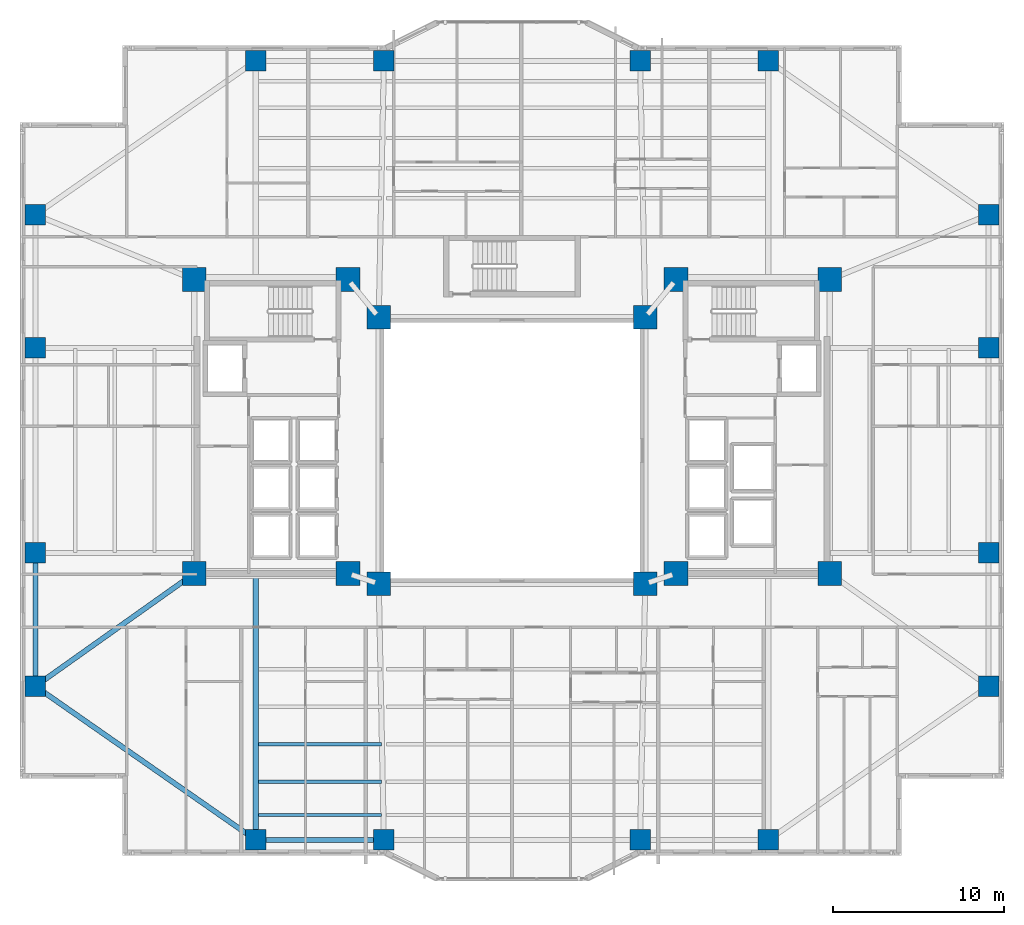
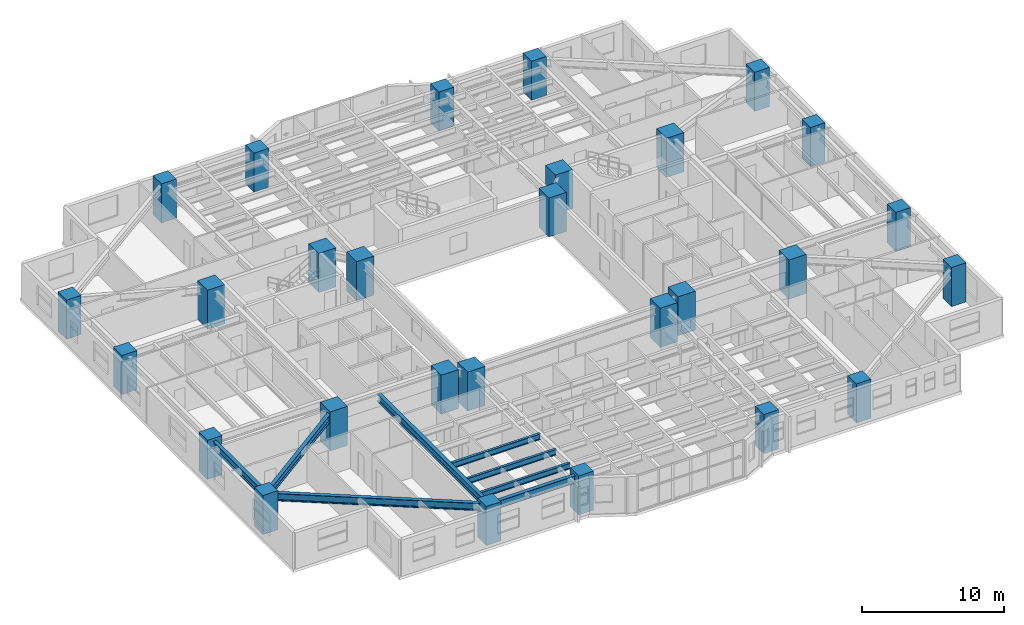
# One storey, part 1 of 21: 28 columns, 8 beams.
"""IFC4 building model written with IfcOpenShell, lengths in metres."""

from ifc_helpers import new_model, si_unit, direction, frame, origin, origin_2d, place, context, subcontext, project, spatial, rectangle, i_section, extrude, material, material_profile, profile_set, type_object, element, save


model = new_model("IFC4")

# Units and contexts
model_context = context("Model", 3, precision=1e-05, world=origin(), true_north=direction((0.0, 1.0)))
body_context = subcontext(model_context, "Body", "Model", "MODEL_VIEW")
ifc_project = project(units=[si_unit("LENGTHUNIT", "METRE"), si_unit("AREAUNIT", "SQUARE_METRE"), si_unit("VOLUMEUNIT", "CUBIC_METRE"), si_unit("PLANEANGLEUNIT", "RADIAN"), si_unit("MASSUNIT", "GRAM", prefix="KILO")], contexts=[model_context])

# Site, building, storey
site_placement = place(None, origin())
site = spatial("IfcSite", under=ifc_project, at=site_placement, CompositionType="ELEMENT")
building_placement = place(site_placement, origin())
building = spatial("IfcBuilding", under=site, at=building_placement, Name="Tarnavaz Court Tower", CompositionType="ELEMENT")
storey_placement = place(building_placement, frame((0.0, 0.0, 24.0)))
storey = spatial("IfcBuildingStorey", under=building, at=storey_placement, Name="L05", CompositionType="ELEMENT", Elevation=24.0)

# Columns
ifc_material_1 = material(Name="Concrete C60/75", Category="concrete")
ifc_material_profile_1 = material_profile(ifc_material_1, rectangle(XDim=1.199951171875, YDim=1.199951171875, at=origin_2d()), Name="RC 1200X1200")
ifc_profile_set_1 = profile_set([ifc_material_profile_1], Name="Concrete C60/75")
column_type_1 = type_object("IfcColumnType", Name="CL-RC1200", PredefinedType="COLUMN", material=ifc_profile_set_1)
for number, where, z_axis, x_axis, name in (
    (1, (-15.0, 22.800048828125, 0.0), (0.0, 0.0, 1.0), (1.0, 0.0, 0.0), "L05 Column PN-1"),
    (2, (-7.5, 22.800048828125, 0.0), (0.0, 0.0, 1.0), (1.0, 0.0, 0.0), "L05 Column PN-2"),
    (3, (7.5, 22.800048828125, 0.0), (0.0, 0.0, 1.0), (1.0, 0.0, 0.0), "L05 Column PN-3"),
    (4, (15.0, 22.800048828125, 0.0), (0.0, 0.0, 1.0), (1.0, 0.0, 0.0), "L05 Column PN-4"),
    (5, (-15.0, -22.800048828125, 0.0), (0.0, 0.0, 1.0), (1.0, 0.0, 0.0), "L05 Column PS-1"),
    (6, (-7.5, -22.800048828125, 0.0), (0.0, 0.0, 1.0), (1.0, 0.0, 0.0), "L05 Column PS-2"),
    (7, (7.5, -22.800048828125, 0.0), (0.0, 0.0, 1.0), (1.0, 0.0, 0.0), "L05 Column PS-3"),
    (8, (15.0, -22.800048828125, 0.0), (0.0, 0.0, 1.0), (1.0, 0.0, 0.0), "L05 Column PS-4"),
    (9, (27.89990234375, -13.800048828125, 0.0), (0.0, 0.0, 1.0), (1.0, 0.0, 0.0), "L05 Column PE-1"),
    (10, (27.89990234375, -6.0, 0.0), (0.0, 0.0, 1.0), (1.0, 0.0, 0.0), "L05 Column PE-2"),
    (11, (27.89990234375, 6.0, 0.0), (0.0, 0.0, 1.0), (1.0, 0.0, 0.0), "L05 Column PE-3"),
    (12, (27.89990234375, 13.800048828125, 0.0), (0.0, 0.0, 1.0), (1.0, 0.0, 0.0), "L05 Column PE-4"),
    (13, (-27.89990234375, -13.800048828125, 0.0), (0.0, 0.0, 1.0), (1.0, 0.0, 0.0), "L05 Column PW-1"),
    (14, (-27.89990234375, -6.0, 0.0), (0.0, 0.0, 1.0), (1.0, 0.0, 0.0), "L05 Column PW-2"),
    (15, (-27.89990234375, 6.0, 0.0), (0.0, 0.0, 1.0), (1.0, 0.0, 0.0), "L05 Column PW-3"),
    (16, (-27.89990234375, 13.800048828125, 0.0), (0.0, 0.0, 1.0), (1.0, 0.0, 0.0), "L05 Column PW-4"),
):
    element("IfcColumn", number, at=place(storey_placement, frame(where, z_axis=z_axis, x_axis=x_axis)), inside=storey, type_object=column_type_1, Name=name, PredefinedType="COLUMN", context=body_context, shape_type="SweptSolid", body=[
        extrude(rectangle(XDim=1.199951171875, YDim=1.199951171875, at=origin_2d()), origin(), (0.0, 0.0, 1.0), 3.35009765625),
    ])
ifc_material_profile_2 = material_profile(ifc_material_1, rectangle(XDim=1.39990234375, YDim=1.39990234375, at=origin_2d()), Name="RC 1400X1400")
ifc_profile_set_2 = profile_set([ifc_material_profile_2], Name="Concrete C60/75")
column_type_2 = type_object("IfcColumnType", Name="CL-RC1400", PredefinedType="COLUMN", material=ifc_profile_set_2)
for number, where, z_axis, x_axis, name in (
    (17, (-7.800048828125, -7.800048828125, 0.0), (0.0, 0.0, 1.0), (1.0, 0.0, 0.0), "L05 Column IW-SW"),
    (18, (7.800048828125, -7.800048828125, 0.0), (0.0, 0.0, 1.0), (1.0, 0.0, 0.0), "L05 Column IW-SE"),
    (19, (-7.800048828125, 7.800048828125, 0.0), (0.0, 0.0, 1.0), (1.0, 0.0, 0.0), "L05 Column IW-NW"),
    (20, (7.800048828125, 7.800048828125, 0.0), (0.0, 0.0, 1.0), (1.0, 0.0, 0.0), "L05 Column IW-NE"),
    (21, (-9.60009765625, -7.199951171875, 0.0), (0.0, 0.0, 1.0), (1.0, 0.0, 0.0), "L05 Column CW-SI"),
    (22, (-9.60009765625, 10.0, 0.0), (0.0, 0.0, 1.0), (1.0, 0.0, 0.0), "L05 Column CW-NI"),
    (23, (9.60009765625, -7.199951171875, 0.0), (0.0, 0.0, 1.0), (1.0, 0.0, 0.0), "L05 Column CE-SI"),
    (24, (9.60009765625, 10.0, 0.0), (0.0, 0.0, 1.0), (1.0, 0.0, 0.0), "L05 Column CE-NI"),
    (25, (-18.60009765625, -7.199951171875, 0.0), (0.0, 0.0, 1.0), (1.0, 0.0, 0.0), "L05 Column CW-SO"),
    (26, (-18.60009765625, 10.0, 0.0), (0.0, 0.0, 1.0), (1.0, 0.0, 0.0), "L05 Column CW-NO"),
    (27, (18.60009765625, -7.199951171875, 0.0), (0.0, 0.0, 1.0), (1.0, 0.0, 0.0), "L05 Column CE-SO"),
    (28, (18.60009765625, 10.0, 0.0), (0.0, 0.0, 1.0), (1.0, 0.0, 0.0), "L05 Column CE-NO"),
):
    element("IfcColumn", number, at=place(storey_placement, frame(where, z_axis=z_axis, x_axis=x_axis)), inside=storey, type_object=column_type_2, Name=name, PredefinedType="COLUMN", context=body_context, shape_type="SweptSolid", body=[
        extrude(rectangle(XDim=1.39990234375, YDim=1.39990234375, at=origin_2d()), origin(), (0.0, 0.0, 1.0), 3.35009765625),
    ])

# Beams
ifc_material_2 = material(Name="Steel S355", Category="steel")
ifc_material_profile_3 = material_profile(ifc_material_2, i_section(OverallWidth=0.300048828125, OverallDepth=0.64990234375, WebThickness=0.01611328125, FlangeThickness=0.031005859375, FilletRadius=0.027099609375, at=origin_2d()), Name="HEB 650")
ifc_profile_set_3 = profile_set([ifc_material_profile_3], Name="Steel S355")
beam_type_1 = type_object("IfcBeamType", Name="BM-G-HEB650", PredefinedType="USERDEFINED", material=ifc_profile_set_3)
beam_1_placement = place(storey_placement, frame((-15.0, -7.239990234375, 2.77490234375), z_axis=(0.0, -1.0, 0.0), x_axis=(1.0, 0.0, 0.0)))
element("IfcBeam", 29, at=beam_1_placement, inside=storey, type_object=beam_type_1, Name="L05 Beam RG-05", ObjectType="GIRDER", PredefinedType="USERDEFINED", context=body_context, shape_type="SweptSolid", body=[
    extrude(i_section(OverallWidth=0.300048828125, OverallDepth=0.64990234375, WebThickness=0.01611328125, FlangeThickness=0.031005859375, FilletRadius=0.027099609375, at=origin_2d()), origin(), (0.0, 0.0, 1.0), 15.340087890625),
])
beam_2_placement = place(storey_placement, frame((-18.779296875, -7.327392578125, 2.77490234375), z_axis=(-0.815520027245, -0.578728852886, 0.0), x_axis=(0.578728852886, -0.815520027245, 0.0)))
element("IfcBeam", 30, at=beam_2_placement, inside=storey, type_object=beam_type_1, Name="L05 Beam RG-15", ObjectType="GIRDER", PredefinedType="USERDEFINED", context=body_context, shape_type="SweptSolid", body=[
    extrude(i_section(OverallWidth=0.300048828125, OverallDepth=0.64990234375, WebThickness=0.01611328125, FlangeThickness=0.031005859375, FilletRadius=0.027099609375, at=origin_2d()), origin(), (0.0, 0.0, 1.0), 10.964111328125),
])
ifc_material_profile_4 = material_profile(ifc_material_2, i_section(OverallWidth=0.199951171875, OverallDepth=0.5, WebThickness=0.01025390625, FlangeThickness=0.01611328125, FilletRadius=0.02099609375, at=origin_2d()), Name="IPE 500")
ifc_profile_set_4 = profile_set([ifc_material_profile_4], Name="Steel S355")
beam_type_2 = type_object("IfcBeamType", Name="BM-J-IPE500", PredefinedType="JOIST", material=ifc_profile_set_4)
for number, where, z_axis, x_axis, name in (
    (31, (-14.85009765625, -17.18798828125, 2.85009765625), (1.0, 0.0, 0.0), (0.0, 1.0, 0.0), "L05 Beam JS3-1"),
    (32, (-14.85009765625, -19.384033203125, 2.85009765625), (1.0, 0.0, 0.0), (0.0, 1.0, 0.0), "L05 Beam JS4-1"),
    (33, (-14.85009765625, -21.3359375, 2.85009765625), (1.0, 0.0, 0.0), (0.0, 1.0, 0.0), "L05 Beam JS5-1"),
):
    element("IfcBeam", number, at=place(storey_placement, frame(where, z_axis=z_axis, x_axis=x_axis)), inside=storey, type_object=beam_type_2, Name=name, PredefinedType="JOIST", context=body_context, shape_type="SweptSolid", body=[
        extrude(i_section(OverallWidth=0.199951171875, OverallDepth=0.5, WebThickness=0.01025390625, FlangeThickness=0.01611328125, FilletRadius=0.02099609375, at=origin_2d()), origin(), (0.0, 0.0, 1.0), 7.2001953125),
    ])
ifc_material_profile_5 = material_profile(ifc_material_2, i_section(OverallWidth=0.300048828125, OverallDepth=0.639892578125, WebThickness=0.013427734375, FlangeThickness=0.02587890625, FilletRadius=0.027099609375, at=origin_2d()), Name="HEA 650")
ifc_profile_set_5 = profile_set([ifc_material_profile_5], Name="Steel S355")
beam_type_3 = type_object("IfcBeamType", Name="BM-SP-HEA650", PredefinedType="SPANDREL", material=ifc_profile_set_5)
beam_3_placement = place(storey_placement, frame((-14.780029296875, -22.800048828125, 2.780029296875), z_axis=(1.0, 0.0, 0.0), x_axis=(0.0, 1.0, 0.0)))
element("IfcBeam", 34, at=beam_3_placement, inside=storey, type_object=beam_type_3, Name="L05 Beam PR-PS-1-PS-2", PredefinedType="SPANDREL", context=body_context, shape_type="SweptSolid", body=[
    extrude(i_section(OverallWidth=0.300048828125, OverallDepth=0.639892578125, WebThickness=0.013427734375, FlangeThickness=0.02587890625, FilletRadius=0.027099609375, at=origin_2d()), origin(), (0.0, 0.0, 1.0), 7.06005859375),
])
beam_4_placement = place(storey_placement, frame((-27.89990234375, -13.580078125, 2.780029296875), z_axis=(0.0, 1.0, 0.0), x_axis=(-1.0, 0.0, 0.0)))
element("IfcBeam", 35, at=beam_4_placement, inside=storey, type_object=beam_type_3, Name="L05 Beam PR-PW-1-PW-2", PredefinedType="SPANDREL", context=body_context, shape_type="SweptSolid", body=[
    extrude(i_section(OverallWidth=0.300048828125, OverallDepth=0.639892578125, WebThickness=0.013427734375, FlangeThickness=0.02587890625, FilletRadius=0.027099609375, at=origin_2d()), origin(), (0.0, 0.0, 1.0), 7.360107421875),
])
beam_5_placement = place(storey_placement, frame((-15.180419921875, -22.674072265625, 2.780029296875), z_axis=(-0.820123643324, 0.572186341729, 0.0), x_axis=(-0.572186341729, -0.820123643324, 0.0)))
element("IfcBeam", 36, at=beam_5_placement, inside=storey, type_object=beam_type_3, Name="L05 Beam PR-PS-1-PW-1", PredefinedType="SPANDREL", context=body_context, shape_type="SweptSolid", body=[
    extrude(i_section(OverallWidth=0.300048828125, OverallDepth=0.639892578125, WebThickness=0.013427734375, FlangeThickness=0.02587890625, FilletRadius=0.027099609375, at=origin_2d()), origin(), (0.0, 0.0, 1.0), 15.289306640625),
])

save(model, "model.ifc")
